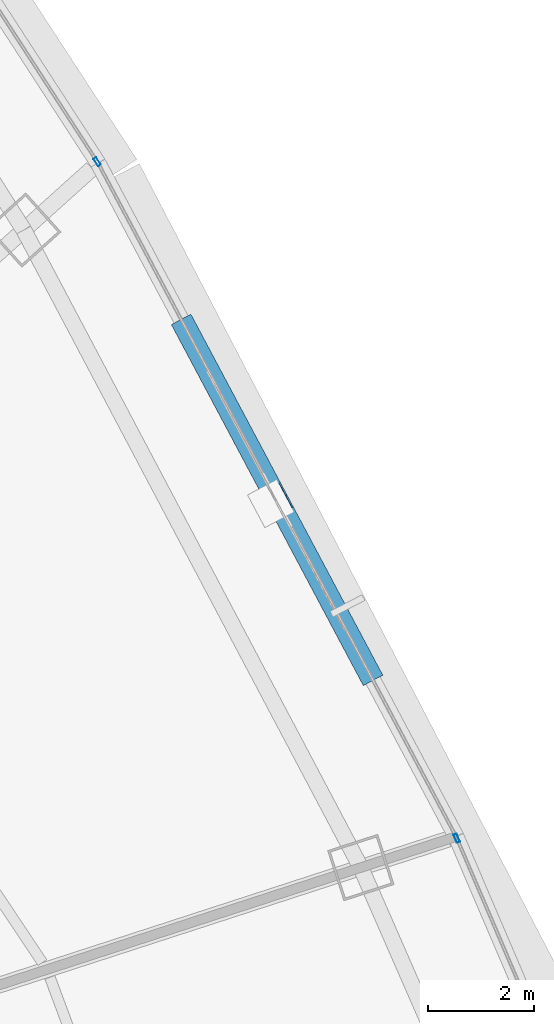
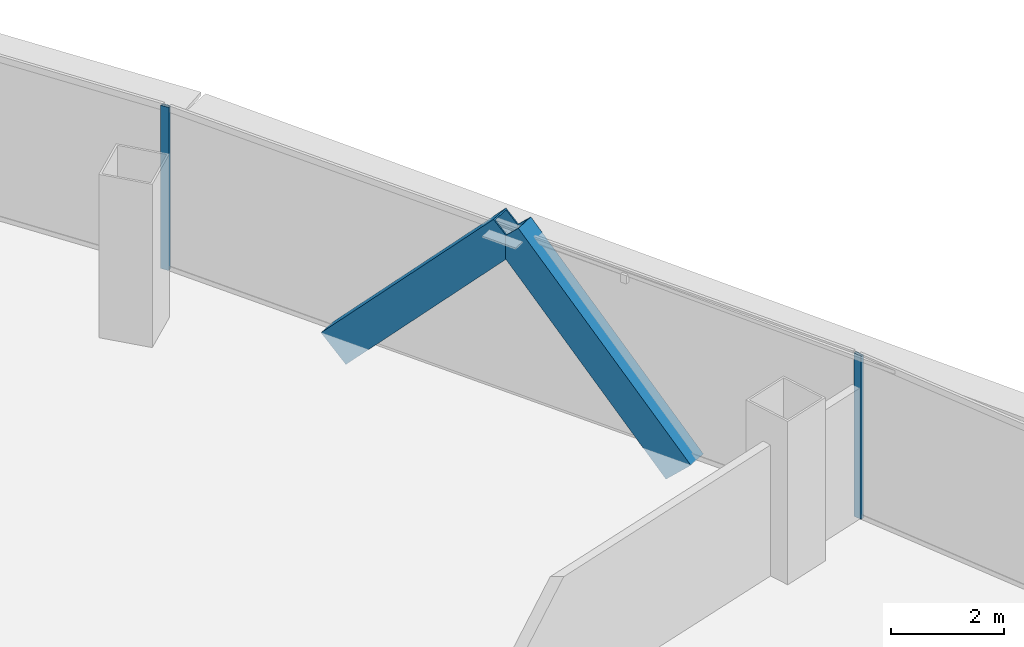
# One storey, part 24 of 39: 4 members, 2 elements without a shape of their own.
"""IFC4 building model written with IfcOpenShell, lengths in metres."""

from ifc_helpers import new_model, si_unit, direction, frame, origin, origin_2d, place, context, subcontext, project, spatial, hollow_rectangle, extrude, source, transform, mapped, material, layer, layer_set, material_profile, profile_set, type_object, element, aggregate, save


model = new_model("IFC4")

# Units and contexts
model_context = context("Model", 3, precision=1e-05, world=origin(), true_north=direction((0.0, 1.0)))
body_context = subcontext(model_context, "Body", "Model", "MODEL_VIEW")
ifc_project = project(units=[si_unit("LENGTHUNIT", "METRE"), si_unit("AREAUNIT", "SQUARE_METRE"), si_unit("VOLUMEUNIT", "CUBIC_METRE"), si_unit("PLANEANGLEUNIT", "RADIAN"), si_unit("MASSUNIT", "GRAM", prefix="KILO"), si_unit("THERMODYNAMICTEMPERATUREUNIT", "KELVIN"), si_unit("POWERUNIT", "WATT")], contexts=[model_context])

# Site, building, storey
site_placement = place(None, origin())
site = spatial("IfcSite", under=ifc_project, at=site_placement, CompositionType="ELEMENT")
building_placement = place(site_placement, origin())
building = spatial("IfcBuilding", under=site, at=building_placement, Name="Yunzhuo Pagoda Commons", CompositionType="ELEMENT")
storey_placement = place(building_placement, frame((0.0, 0.0, 100.179931640625)))
storey = spatial("IfcBuildingStorey", under=building, at=storey_placement, Name="L25", CompositionType="ELEMENT", Elevation=100.179931640625)

# Members
ifc_material_1 = material(Name="Structural steel Q420B", Category="steel")
ifc_material_profile_1 = material_profile(ifc_material_1, hollow_rectangle(XDim=0.419921875, YDim=0.719970703125, WallThickness=0.028076171875, at=origin_2d()), Name="Structural steel Q420B")
ifc_profile_set_1 = profile_set([ifc_material_profile_1], Name="Structural steel Q420B")
member_type_1 = type_object("IfcMemberType", Name="M-DL1 Brace BOX 720x420x28", PredefinedType="BRACE", material=ifc_profile_set_1)
shared_shape_1 = source(origin(), body_context, "Body", "SweptSolid", [
    extrude(hollow_rectangle(XDim=0.419921875, YDim=0.719970703125, WallThickness=0.028076171875, at=origin_2d()), origin(), (0.0, 0.0, 1.0), 5.244140625),
])
for number, where, z_axis, x_axis, name in (
    (1, (79.10009765625, 47.547119140625, -0.260009765625), (-0.323462085234, 0.608516539449, 0.724623971887), (-0.883002863239, -0.469367599555, 0.0), "L25 facade diamond brace F2.2L"),
    (2, (75.70703125, 53.92919921875, -0.260009765625), (0.323554614356, -0.608468893473, 0.724622672296), (0.88293197462, 0.469500935242, 0.0), "L25 facade diamond brace F2.2R"),
):
    element("IfcMember", number, at=place(storey_placement, frame(where, z_axis=z_axis, x_axis=x_axis)), inside=storey, type_object=member_type_1, Name=name, PredefinedType="BRACE", context=body_context, shape_type="MappedRepresentation", body=[
        mapped(shared_shape_1, transform((0.0, 0.0, 0.0), scale=1.0)),
    ])

# Curtain wall, member
ifc_material_2 = material(Name="Anodized aluminium 6063-T6", Category="aluminium")
ifc_layer = layer(ifc_material_2, 0.1650390625)
ifc_layer_set = layer_set([ifc_layer], Name="Anodized aluminium 6063-T6")
curtain_wall_type = type_object("IfcCurtainWallType", Name="CW-LOW Low-Zone Ribbon Curtain Wall", PredefinedType="NOTDEFINED", material=ifc_layer_set)
curtain_wall_1_placement = place(storey_placement, origin())
curtain_wall_1 = element("IfcCurtainWall", 3, at=curtain_wall_1_placement, inside=storey, type_object=curtain_wall_type, Name="L25 curtain wall CW-L25-F2B2", PredefinedType="NOTDEFINED")
ifc_material_profile_2 = material_profile(ifc_material_2, hollow_rectangle(XDim=0.06494140625, YDim=0.1650390625, WallThickness=0.00390625, at=origin_2d()), Name="Anodized aluminium 6063-T6")
ifc_profile_set_2 = profile_set([ifc_material_profile_2], Name="Anodized aluminium 6063-T6")
member_type_2 = type_object("IfcMemberType", Name="CW-LOW-M Mullion RHS 165x65x4", PredefinedType="MULLION", material=ifc_profile_set_2)
shared_shape_2 = source(origin(), body_context, "Body", "SweptSolid", [
    extrude(hollow_rectangle(XDim=0.06494140625, YDim=0.1650390625, WallThickness=0.00390625, at=origin_2d()), origin(), (0.0, 0.0, 1.0), 3.5400390625),
])
member_1_placement = place(storey_placement, frame((80.80908203125, 44.326416015625, 0.0), z_axis=(0.0, 0.0, 1.0), x_axis=(-0.919382894415, -0.393363818185, 0.0)))
member_1 = element("IfcMember", 4, at=member_1_placement, type_object=member_type_2, Name="CW mullion 2", PredefinedType="MULLION", context=body_context, shape_type="MappedRepresentation", body=[
    mapped(shared_shape_2, transform((0.0, 0.0, 0.0), scale=1.0)),
])
aggregate(curtain_wall_1, [member_1])

curtain_wall_2_placement = place(storey_placement, origin())
curtain_wall_2 = element("IfcCurtainWall", 5, at=curtain_wall_2_placement, inside=storey, type_object=curtain_wall_type, Name="L25 curtain wall CW-L25-F2B4", PredefinedType="NOTDEFINED")
member_2_placement = place(storey_placement, frame((73.992919921875, 57.1474609375, 0.0), z_axis=(0.0, 0.0, 1.0), x_axis=(-0.838972259493, -0.544174188841, 0.0)))
member_2 = element("IfcMember", 6, at=member_2_placement, type_object=member_type_2, Name="CW mullion 1", PredefinedType="MULLION", context=body_context, shape_type="MappedRepresentation", body=[
    mapped(shared_shape_2, transform((0.0, 0.0, 0.0), scale=1.0)),
])
aggregate(curtain_wall_2, [member_2])

save(model, "model.ifc")
